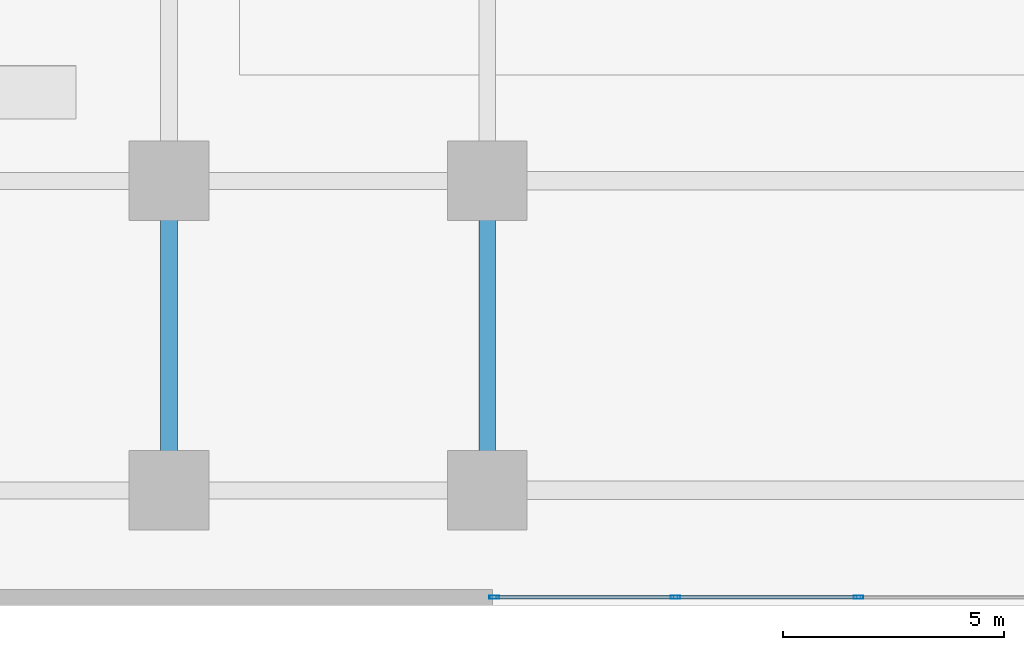
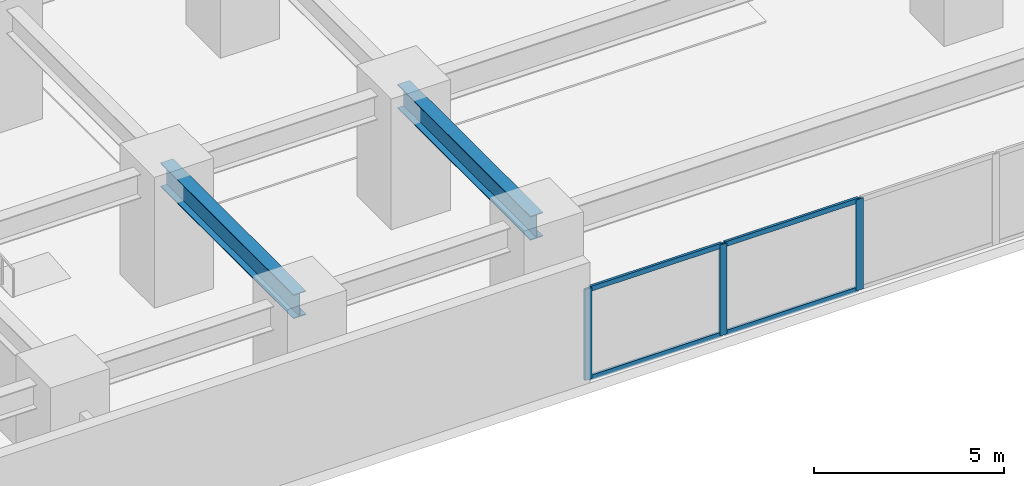
# One storey, part 2 of 22: 7 members, 2 beams, 1 element without a shape of its own.
"""IFC4 building model written with IfcOpenShell, lengths in metres."""

from ifc_helpers import new_model, si_unit, direction, frame, origin, origin_2d, place, context, subcontext, project, spatial, hollow_rectangle, i_section, extrude, material, layer, layer_set, material_profile, profile_set, type_object, element, aggregate, save


model = new_model("IFC4")

# Units and contexts
model_context = context("Model", 3, precision=1e-05, world=origin(), true_north=direction((0.0, 1.0)))
body_context = subcontext(model_context, "Body", "Model", "MODEL_VIEW")
ifc_project = project(units=[si_unit("LENGTHUNIT", "METRE"), si_unit("AREAUNIT", "SQUARE_METRE"), si_unit("VOLUMEUNIT", "CUBIC_METRE"), si_unit("PLANEANGLEUNIT", "RADIAN"), si_unit("MASSUNIT", "GRAM", prefix="KILO")], contexts=[model_context])

# Site, building, storey
site_placement = place(None, origin())
site = spatial("IfcSite", under=ifc_project, at=site_placement, CompositionType="ELEMENT")
building_placement = place(site_placement, origin())
building = spatial("IfcBuilding", under=site, at=building_placement, Name="Kiyonajd Concourse Tower", CompositionType="ELEMENT")
storey_placement = place(building_placement, frame((0.0, 0.0, 8.699951171875)))
storey = spatial("IfcBuildingStorey", under=building, at=storey_placement, Name="L03", CompositionType="ELEMENT", Elevation=8.699951171875)

# Beams
ifc_material_1 = material(Name="Steel ASTM A992 Grade 50", Category="steel")
ifc_material_profile_1 = material_profile(ifc_material_1, i_section(OverallWidth=0.381103515625, OverallDepth=0.77294921875, WebThickness=0.0166015625, FlangeThickness=0.027099609375, at=origin_2d()), Name="W760X257")
ifc_profile_set_1 = profile_set([ifc_material_profile_1], Name="Steel ASTM A992 Grade 50")
beam_type = type_object("IfcBeamType", Name="BM-POD-760", PredefinedType="BEAM", material=ifc_profile_set_1)
for number, where, z_axis, x_axis, name in (
    (1, (32.39990234375, 2.60009765625, 3.49365234375), (0.0, 1.0, 0.0), (-1.0, 0.0, 0.0), "L03 Podium North South Beam"),
    (2, (39.60009765625, 2.60009765625, 3.49365234375), (0.0, 1.0, 0.0), (-1.0, 0.0, 0.0), "L03 Podium North South Beam"),
):
    element("IfcBeam", number, at=place(storey_placement, frame(where, z_axis=z_axis, x_axis=x_axis)), inside=storey, type_object=beam_type, Name=name, PredefinedType="BEAM", context=body_context, shape_type="SweptSolid", body=[
        extrude(i_section(OverallWidth=0.381103515625, OverallDepth=0.77294921875, WebThickness=0.0166015625, FlangeThickness=0.027099609375, at=origin_2d()), origin(), (0.0, 0.0, 1.0), 7.0),
    ])

# Curtain wall, members
ifc_material_2 = material(Name="Thermally Broken Anodised Aluminium", Category="aluminium")
ifc_layer = layer(ifc_material_2, 0.179931640625)
ifc_layer_set = layer_set([ifc_layer], Name="Thermally Broken Anodised Aluminium")
curtain_wall_type = type_object("IfcCurtainWallType", Name="CW-SYS-01", PredefinedType="NOTDEFINED", material=ifc_layer_set)
curtain_wall_placement = place(storey_placement, origin())
curtain_wall = element("IfcCurtainWall", 3, at=curtain_wall_placement, inside=storey, type_object=curtain_wall_type, Name="L03 Unitised Curtain Wall CW1", PredefinedType="NOTDEFINED")
ifc_material_profile_2 = material_profile(ifc_material_2, hollow_rectangle(XDim=0.074951171875, YDim=0.219970703125, WallThickness=0.0048828125, at=origin_2d()), Name="MULL-75x220")
ifc_profile_set_2 = profile_set([ifc_material_profile_2], Name="Thermally Broken Anodised Aluminium")
member_type_1 = type_object("IfcMemberType", Name="MB-CW-MULL2", PredefinedType="MULLION", material=ifc_profile_set_2)
member_1_placement = place(storey_placement, frame((48.0, 0.179931640625, 0.0), z_axis=(0.0, 0.0, 1.0), x_axis=(0.0, -1.0, 0.0)))
member_1 = element("IfcMember", 4, at=member_1_placement, type_object=member_type_1, Name="CW1 mullion 3", PredefinedType="MULLION", context=body_context, shape_type="SweptSolid", body=[
    extrude(hollow_rectangle(XDim=0.074951171875, YDim=0.219970703125, WallThickness=0.0048828125, at=origin_2d()), origin(), (0.0, 0.0, 1.0), 2.929931640625),
])
member_2_placement = place(storey_placement, frame((43.860107421875, 0.179931640625, 0.0), z_axis=(0.0, 0.0, 1.0), x_axis=(0.0, -1.0, 0.0)))
member_2 = element("IfcMember", 5, at=member_2_placement, type_object=member_type_1, Name="CW1 mullion 4", PredefinedType="MULLION", context=body_context, shape_type="SweptSolid", body=[
    extrude(hollow_rectangle(XDim=0.074951171875, YDim=0.219970703125, WallThickness=0.0048828125, at=origin_2d()), origin(), (0.0, 0.0, 1.0), 2.929931640625),
])
member_3_placement = place(storey_placement, frame((39.757568359375, 0.179931640625, 0.0), z_axis=(0.0, 0.0, 1.0), x_axis=(0.0, -1.0, 0.0)))
member_3 = element("IfcMember", 6, at=member_3_placement, type_object=member_type_1, Name="CW1 mullion 5", PredefinedType="MULLION", context=body_context, shape_type="SweptSolid", body=[
    extrude(hollow_rectangle(XDim=0.074951171875, YDim=0.219970703125, WallThickness=0.0048828125, at=origin_2d()), origin(), (0.0, 0.0, 1.0), 2.929931640625),
])
ifc_material_profile_3 = material_profile(ifc_material_2, hollow_rectangle(XDim=0.074951171875, YDim=0.159912109375, WallThickness=0.0048828125, at=origin_2d()), Name="TRAN-75x160")
ifc_profile_set_3 = profile_set([ifc_material_profile_3], Name="Thermally Broken Anodised Aluminium")
member_type_2 = type_object("IfcMemberType", Name="MB-CW-TRAN2", PredefinedType="USERDEFINED", material=ifc_profile_set_3)
member_4_placement = place(storey_placement, frame((47.96240234375, 0.179931640625, 0.03759765625), z_axis=(-1.0, 0.0, 0.0), x_axis=(0.0, -1.0, 0.0)))
member_4 = element("IfcMember", 7, at=member_4_placement, type_object=member_type_2, Name="CW1 transom 3.1", ObjectType="TRANSOM", PredefinedType="USERDEFINED", context=body_context, shape_type="SweptSolid", body=[
    extrude(hollow_rectangle(XDim=0.074951171875, YDim=0.159912109375, WallThickness=0.0048828125, at=origin_2d()), origin(), (0.0, 0.0, 1.0), 4.06494140625),
])
member_5_placement = place(storey_placement, frame((47.96240234375, 0.179931640625, 2.892578125), z_axis=(-1.0, 0.0, 0.0), x_axis=(0.0, -1.0, 0.0)))
member_5 = element("IfcMember", 8, at=member_5_placement, type_object=member_type_2, Name="CW1 transom 3.2", ObjectType="TRANSOM", PredefinedType="USERDEFINED", context=body_context, shape_type="SweptSolid", body=[
    extrude(hollow_rectangle(XDim=0.074951171875, YDim=0.159912109375, WallThickness=0.0048828125, at=origin_2d()), origin(), (0.0, 0.0, 1.0), 4.06494140625),
])
member_6_placement = place(storey_placement, frame((43.822509765625, 0.179931640625, 0.03759765625), z_axis=(-1.0, 0.0, 0.0), x_axis=(0.0, -1.0, 0.0)))
member_6 = element("IfcMember", 9, at=member_6_placement, type_object=member_type_2, Name="CW1 transom 4.1", ObjectType="TRANSOM", PredefinedType="USERDEFINED", context=body_context, shape_type="SweptSolid", body=[
    extrude(hollow_rectangle(XDim=0.074951171875, YDim=0.159912109375, WallThickness=0.0048828125, at=origin_2d()), origin(), (0.0, 0.0, 1.0), 4.027587890625),
])
member_7_placement = place(storey_placement, frame((43.822509765625, 0.179931640625, 2.892578125), z_axis=(-1.0, 0.0, 0.0), x_axis=(0.0, -1.0, 0.0)))
member_7 = element("IfcMember", 10, at=member_7_placement, type_object=member_type_2, Name="CW1 transom 4.2", ObjectType="TRANSOM", PredefinedType="USERDEFINED", context=body_context, shape_type="SweptSolid", body=[
    extrude(hollow_rectangle(XDim=0.074951171875, YDim=0.159912109375, WallThickness=0.0048828125, at=origin_2d()), origin(), (0.0, 0.0, 1.0), 4.027587890625),
])
aggregate(curtain_wall, [member_1, member_2, member_3, member_4, member_5, member_6, member_7])

save(model, "model.ifc")
